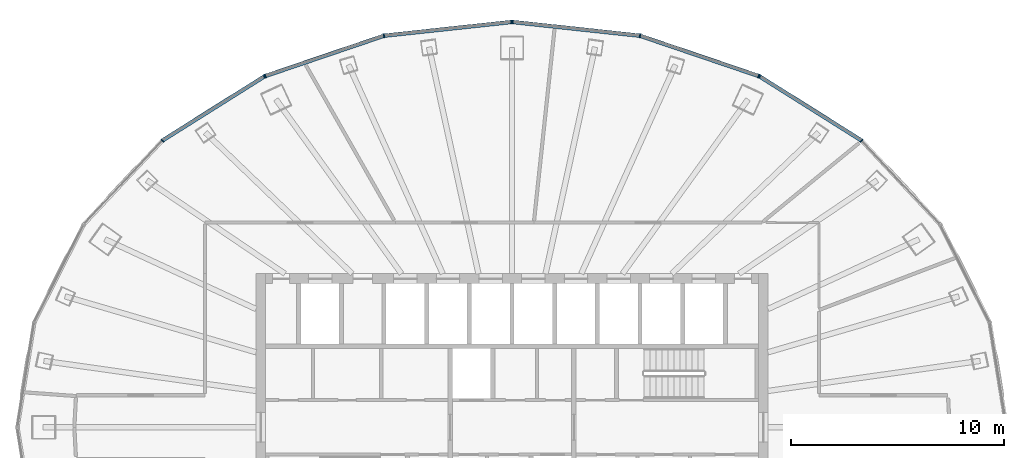
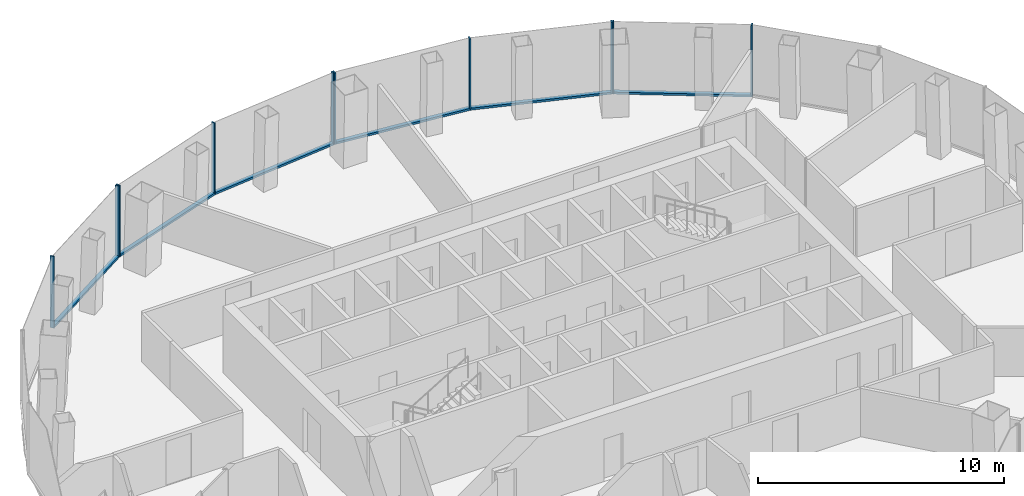
# One storey, part 6 of 11: 16 members, 4 elements without a shape of their own.
"""IFC4 building model written with IfcOpenShell, lengths in metres."""

from ifc_helpers import new_model, si_unit, direction, frame, origin, origin_2d, place, context, subcontext, project, spatial, rectangle, extrude, material, layer, layer_set, material_profile, profile_set, type_object, element, aggregate, save


model = new_model("IFC4")

# Units and contexts
model_context = context("Model", 3, precision=1e-05, world=origin(), true_north=direction((0.0, 1.0)))
body_context = subcontext(model_context, "Body", "Model", "MODEL_VIEW")
ifc_project = project(units=[si_unit("LENGTHUNIT", "METRE"), si_unit("AREAUNIT", "SQUARE_METRE"), si_unit("VOLUMEUNIT", "CUBIC_METRE"), si_unit("PLANEANGLEUNIT", "RADIAN"), si_unit("MASSUNIT", "GRAM", prefix="KILO")], contexts=[model_context])

# Site, building, storey
site_placement = place(None, origin())
site = spatial("IfcSite", under=ifc_project, at=site_placement, CompositionType="ELEMENT")
building_placement = place(site_placement, origin())
building = spatial("IfcBuilding", under=site, at=building_placement, Name="Siaravel Broadcast Tower", CompositionType="ELEMENT")
storey_placement = place(building_placement, frame((0.0, 0.0, 186.699951171875)))
storey = spatial("IfcBuildingStorey", under=building, at=storey_placement, Name="L45", CompositionType="ELEMENT", Elevation=186.699951171875)

# Curtain wall, members
ifc_material = material(Name="Aluminium 6063-T6", Category="aluminium")
ifc_layer = layer(ifc_material, 0.179931640625)
ifc_layer_set = layer_set([ifc_layer], Name="Aluminium 6063-T6")
curtain_wall_type = type_object("IfcCurtainWallType", Name="Unitised curtain wall, zone 3", PredefinedType="NOTDEFINED", material=ifc_layer_set)
curtain_wall_1_placement = place(storey_placement, origin())
curtain_wall_1 = element("IfcCurtainWall", 1, at=curtain_wall_1_placement, inside=storey, type_object=curtain_wall_type, Name="L45 Unitised curtain wall, zone 3 02", PredefinedType="NOTDEFINED")
ifc_material_profile_1 = material_profile(ifc_material, rectangle(XDim=0.179931640625, YDim=0.06005859375, at=origin_2d()))
ifc_profile_set_1 = profile_set([ifc_material_profile_1], Name="Aluminium 6063-T6")
member_type_1 = type_object("IfcMemberType", Name="CW-Z3 mullion", PredefinedType="MULLION", material=ifc_profile_set_1)
member_1_placement = place(storey_placement, frame((16.397216796875, 13.44384765625, 0.0), z_axis=(0.0, 0.0, 1.0), x_axis=(-0.636218366, -0.771509035, 0.0)))
member_1 = element("IfcMember", 2, at=member_1_placement, type_object=member_type_1, Name="CW-Z3 mullion 2", PredefinedType="MULLION", context=body_context, shape_type="SweptSolid", body=[
    extrude(rectangle(XDim=0.179931640625, YDim=0.06005859375, at=origin_2d()), origin(), (0.0, 0.0, 1.0), 3.550048828125),
])
member_2_placement = place(storey_placement, frame((11.618896484375, 16.447265625, 0.0), z_axis=(0.0, 0.0, 1.0), x_axis=(-0.532148919, -0.846650771, 0.0)))
member_2 = element("IfcMember", 3, at=member_2_placement, type_object=member_type_1, Name="CW-Z3 mullion 3", PredefinedType="MULLION", context=body_context, shape_type="SweptSolid", body=[
    extrude(rectangle(XDim=0.179931640625, YDim=0.06005859375, at=origin_2d()), origin(), (0.0, 0.0, 1.0), 3.550048828125),
])

curtain_wall_2_placement = place(storey_placement, origin())
curtain_wall_2 = element("IfcCurtainWall", 4, at=curtain_wall_2_placement, inside=storey, type_object=curtain_wall_type, Name="L45 Unitised curtain wall, zone 3 03", PredefinedType="NOTDEFINED")
member_3_placement = place(storey_placement, frame((11.565185546875, 16.472900390625, 0.0), z_axis=(0.0, 0.0, 1.0), x_axis=(-0.321300369, -0.946977335, 0.0)))
member_3 = element("IfcMember", 5, at=member_3_placement, type_object=member_type_1, Name="CW-Z3 mullion 1", PredefinedType="MULLION", context=body_context, shape_type="SweptSolid", body=[
    extrude(rectangle(XDim=0.179931640625, YDim=0.06005859375, at=origin_2d()), origin(), (0.0, 0.0, 1.0), 3.550048828125),
])
member_4_placement = place(storey_placement, frame((6.0009765625, 18.36083984375, 0.0), z_axis=(0.0, 0.0, 1.0), x_axis=(-0.215557889, -0.976491063, 0.0)))
member_4 = element("IfcMember", 6, at=member_4_placement, type_object=member_type_1, Name="CW-Z3 mullion 2", PredefinedType="MULLION", context=body_context, shape_type="SweptSolid", body=[
    extrude(rectangle(XDim=0.179931640625, YDim=0.06005859375, at=origin_2d()), origin(), (0.0, 0.0, 1.0), 3.550048828125),
])
member_5_placement = place(storey_placement, frame((0.02978515625, 19.004638671875, 0.0), z_axis=(0.0, 0.0, 1.0), x_axis=(-0.107217391, -0.994235601, 0.0)))
member_5 = element("IfcMember", 7, at=member_5_placement, type_object=member_type_1, Name="CW-Z3 mullion 3", PredefinedType="MULLION", context=body_context, shape_type="SweptSolid", body=[
    extrude(rectangle(XDim=0.179931640625, YDim=0.06005859375, at=origin_2d()), origin(), (0.0, 0.0, 1.0), 3.550048828125),
])

curtain_wall_3_placement = place(storey_placement, origin())
curtain_wall_3 = element("IfcCurtainWall", 8, at=curtain_wall_3_placement, inside=storey, type_object=curtain_wall_type, Name="L45 Unitised curtain wall, zone 3 04", PredefinedType="NOTDEFINED")
member_6_placement = place(storey_placement, frame((-0.02978515625, 19.004638671875, 0.0), z_axis=(0.0, 0.0, 1.0), x_axis=(0.107217391, -0.994235601, 0.0)))
member_6 = element("IfcMember", 9, at=member_6_placement, type_object=member_type_1, Name="CW-Z3 mullion 1", PredefinedType="MULLION", context=body_context, shape_type="SweptSolid", body=[
    extrude(rectangle(XDim=0.179931640625, YDim=0.06005859375, at=origin_2d()), origin(), (0.0, 0.0, 1.0), 3.550048828125),
])
member_7_placement = place(storey_placement, frame((-6.0009765625, 18.36083984375, 0.0), z_axis=(0.0, 0.0, 1.0), x_axis=(0.215557889, -0.976491063, 0.0)))
member_7 = element("IfcMember", 10, at=member_7_placement, type_object=member_type_1, Name="CW-Z3 mullion 2", PredefinedType="MULLION", context=body_context, shape_type="SweptSolid", body=[
    extrude(rectangle(XDim=0.179931640625, YDim=0.06005859375, at=origin_2d()), origin(), (0.0, 0.0, 1.0), 3.550048828125),
])
member_8_placement = place(storey_placement, frame((-11.565185546875, 16.472900390625, 0.0), z_axis=(0.0, 0.0, 1.0), x_axis=(0.321300369, -0.946977335, 0.0)))
member_8 = element("IfcMember", 11, at=member_8_placement, type_object=member_type_1, Name="CW-Z3 mullion 3", PredefinedType="MULLION", context=body_context, shape_type="SweptSolid", body=[
    extrude(rectangle(XDim=0.179931640625, YDim=0.06005859375, at=origin_2d()), origin(), (0.0, 0.0, 1.0), 3.550048828125),
])

curtain_wall_4_placement = place(storey_placement, origin())
curtain_wall_4 = element("IfcCurtainWall", 12, at=curtain_wall_4_placement, inside=storey, type_object=curtain_wall_type, Name="L45 Unitised curtain wall, zone 3 05", PredefinedType="NOTDEFINED")
member_9_placement = place(storey_placement, frame((-11.618896484375, 16.447265625, 0.0), z_axis=(0.0, 0.0, 1.0), x_axis=(0.532148919, -0.846650771, 0.0)))
member_9 = element("IfcMember", 13, at=member_9_placement, type_object=member_type_1, Name="CW-Z3 mullion 1", PredefinedType="MULLION", context=body_context, shape_type="SweptSolid", body=[
    extrude(rectangle(XDim=0.179931640625, YDim=0.06005859375, at=origin_2d()), origin(), (0.0, 0.0, 1.0), 3.550048828125),
])
member_10_placement = place(storey_placement, frame((-16.397216796875, 13.44384765625, 0.0), z_axis=(0.0, 0.0, 1.0), x_axis=(0.636218366, -0.771509035, 0.0)))
member_10 = element("IfcMember", 14, at=member_10_placement, type_object=member_type_1, Name="CW-Z3 mullion 2", PredefinedType="MULLION", context=body_context, shape_type="SweptSolid", body=[
    extrude(rectangle(XDim=0.179931640625, YDim=0.06005859375, at=origin_2d()), origin(), (0.0, 0.0, 1.0), 3.550048828125),
])

# Member
ifc_material_profile_2 = material_profile(ifc_material, rectangle(XDim=0.179931640625, YDim=0.10009765625, at=origin_2d()))
ifc_profile_set_2 = profile_set([ifc_material_profile_2], Name="Aluminium 6063-T6")
member_type_2 = type_object("IfcMemberType", Name="CW-Z3 transom", PredefinedType="USERDEFINED", material=ifc_profile_set_2)
member_11_placement = place(storey_placement, frame((16.371826171875, 13.4599609375, 0.050048828125), z_axis=(-0.846649494, 0.53215095, 0.0), x_axis=(-0.53215095, -0.846649494, 0.0)))
member_11 = element("IfcMember", 15, at=member_11_placement, type_object=member_type_2, Name="CW-Z3 transom 2", ObjectType="TRANSOM", PredefinedType="USERDEFINED", context=body_context, shape_type="SweptSolid", body=[
    extrude(rectangle(XDim=0.179931640625, YDim=0.10009765625, at=origin_2d()), origin(), (0.0, 0.0, 1.0), 5.583740234375),
])

aggregate(curtain_wall_1, [member_1, member_2, member_11])

member_12_placement = place(storey_placement, frame((11.536865234375, 16.482421875, 0.050048828125), z_axis=(-0.946978016, 0.321298361, 0.0), x_axis=(-0.321298361, -0.946978016, 0.0)))
member_12 = element("IfcMember", 16, at=member_12_placement, type_object=member_type_2, Name="CW-Z3 transom 1", ObjectType="TRANSOM", PredefinedType="USERDEFINED", context=body_context, shape_type="SweptSolid", body=[
    extrude(rectangle(XDim=0.179931640625, YDim=0.10009765625, at=origin_2d()), origin(), (0.0, 0.0, 1.0), 5.81591796875),
])

member_13_placement = place(storey_placement, frame((5.97119140625, 18.364013671875, 0.050048828125), z_axis=(-0.994236066, 0.107213083, 0.0), x_axis=(-0.107213083, -0.994236066, 0.0)))
member_13 = element("IfcMember", 17, at=member_13_placement, type_object=member_type_2, Name="CW-Z3 transom 2", ObjectType="TRANSOM", PredefinedType="USERDEFINED", context=body_context, shape_type="SweptSolid", body=[
    extrude(rectangle(XDim=0.179931640625, YDim=0.10009765625, at=origin_2d()), origin(), (0.0, 0.0, 1.0), 5.945556640625),
])

aggregate(curtain_wall_2, [member_3, member_4, member_5, member_12, member_13])

member_14_placement = place(storey_placement, frame((-0.059814453125, 19.00146484375, 0.050048828125), z_axis=(-0.994236066, -0.107213083, 0.0), x_axis=(0.107213083, -0.994236066, 0.0)))
member_14 = element("IfcMember", 18, at=member_14_placement, type_object=member_type_2, Name="CW-Z3 transom 1", ObjectType="TRANSOM", PredefinedType="USERDEFINED", context=body_context, shape_type="SweptSolid", body=[
    extrude(rectangle(XDim=0.179931640625, YDim=0.10009765625, at=origin_2d()), origin(), (0.0, 0.0, 1.0), 5.945556640625),
])

member_15_placement = place(storey_placement, frame((-6.029296875, 18.35107421875, 0.050048828125), z_axis=(-0.946978016, -0.321298361, 0.0), x_axis=(0.321298361, -0.946978016, 0.0)))
member_15 = element("IfcMember", 19, at=member_15_placement, type_object=member_type_2, Name="CW-Z3 transom 2", ObjectType="TRANSOM", PredefinedType="USERDEFINED", context=body_context, shape_type="SweptSolid", body=[
    extrude(rectangle(XDim=0.179931640625, YDim=0.10009765625, at=origin_2d()), origin(), (0.0, 0.0, 1.0), 5.81591796875),
])

aggregate(curtain_wall_3, [member_6, member_7, member_8, member_14, member_15])

member_16_placement = place(storey_placement, frame((-11.644287109375, 16.431396484375, 0.050048828125), z_axis=(-0.846649494, -0.53215095, 0.0), x_axis=(0.53215095, -0.846649494, 0.0)))
member_16 = element("IfcMember", 20, at=member_16_placement, type_object=member_type_2, Name="CW-Z3 transom 1", ObjectType="TRANSOM", PredefinedType="USERDEFINED", context=body_context, shape_type="SweptSolid", body=[
    extrude(rectangle(XDim=0.179931640625, YDim=0.10009765625, at=origin_2d()), origin(), (0.0, 0.0, 1.0), 5.583740234375),
])

aggregate(curtain_wall_4, [member_9, member_10, member_16])

save(model, "model.ifc")
